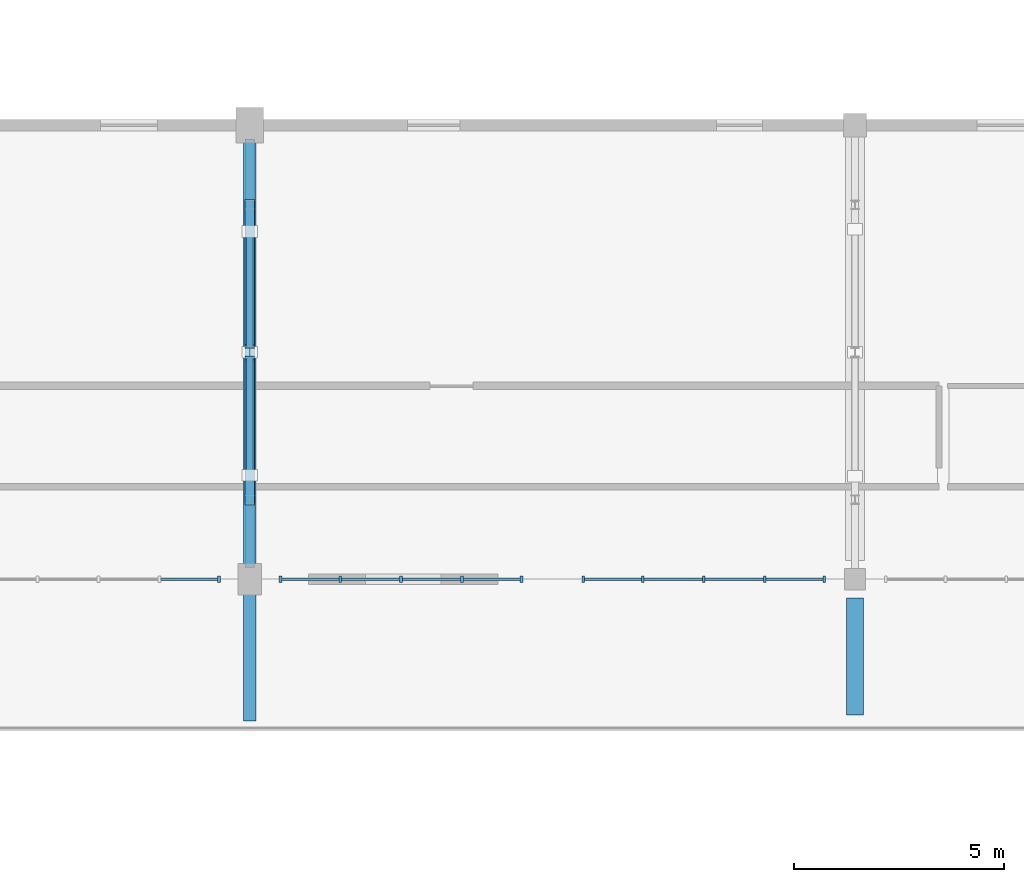
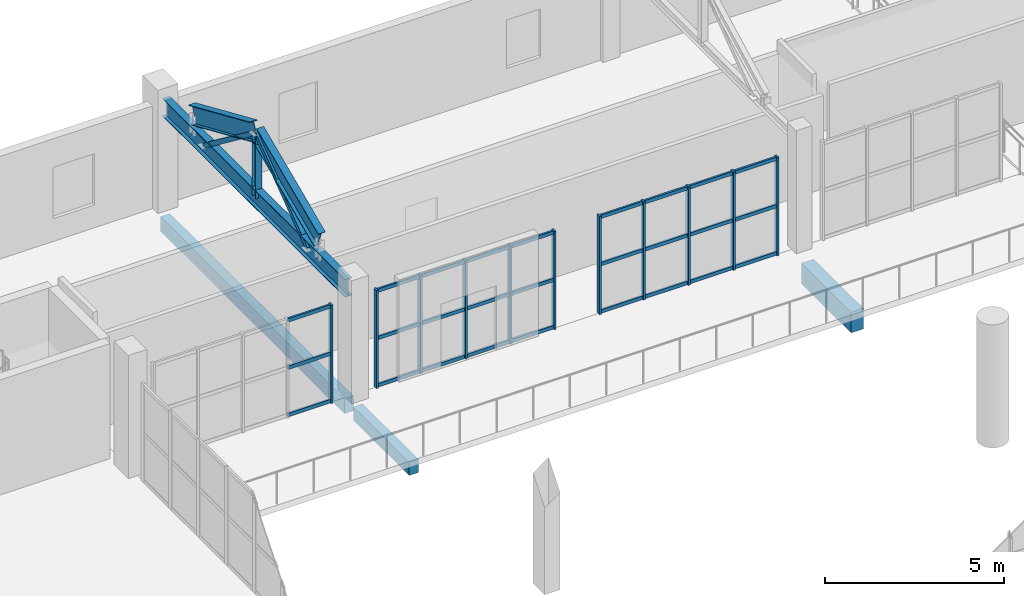
# One storey, part 29 of 92: 41 members, 6 beams, 3 elements without a shape of their own.
"""IFC4 building model written with IfcOpenShell, lengths in metres."""

from ifc_helpers import new_model, si_unit, direction, frame, origin, origin_2d, place, context, subcontext, project, spatial, rectangle, hollow_rectangle, i_section, extrude, material, material_profile, profile_set, type_object, element, aggregate, save


model = new_model("IFC4")

# Units and contexts
model_context = context("Model", 3, precision=1e-05, world=origin(), true_north=direction((0.0, 1.0)))
body_context = subcontext(model_context, "Body", "Model", "MODEL_VIEW")
ifc_project = project(units=[si_unit("LENGTHUNIT", "METRE"), si_unit("AREAUNIT", "SQUARE_METRE"), si_unit("VOLUMEUNIT", "CUBIC_METRE"), si_unit("PLANEANGLEUNIT", "RADIAN"), si_unit("MASSUNIT", "GRAM", prefix="KILO")], contexts=[model_context])

# Site, building, storey
site_placement = place(None, origin())
site = spatial("IfcSite", under=ifc_project, at=site_placement, CompositionType="ELEMENT")
building_placement = place(site_placement, origin())
building = spatial("IfcBuilding", under=site, at=building_placement, Name="Solanera Park Tramway Depot", CompositionType="ELEMENT")
storey_placement = place(building_placement, frame((0.0, 0.0, 4.800048828125)))
storey = spatial("IfcBuildingStorey", under=building, at=storey_placement, Name="L01", CompositionType="ELEMENT", Elevation=4.800048828125)

# Curtain wall, member
ifc_material_1 = material(Name="Bronze-anodised thermally broken aluminium curtain wall", Category="aluminium")
curtain_wall_type = type_object("IfcCurtainWallType", Name="Courtyard Cloister Unitised Curtain Wall", PredefinedType="NOTDEFINED", material=ifc_material_1)
curtain_wall_1_placement = place(storey_placement, origin())
curtain_wall_1 = element("IfcCurtainWall", 1, at=curtain_wall_1_placement, inside=storey, type_object=curtain_wall_type, Name="L01 Courtyard Cloister Unitised Curtain Wall #094", PredefinedType="NOTDEFINED")
ifc_material_2 = material(Name="Bronze-anodised structural aluminium 6063-T6", Category="aluminium")
ifc_material_profile_1 = material_profile(ifc_material_2, rectangle(XDim=0.06494140625, YDim=0.14990234375, at=origin_2d()), Name="Curtain Wall Mullion 65x150")
ifc_profile_set_1 = profile_set([ifc_material_profile_1], Name="Bronze-anodised structural aluminium 6063-T6")
member_type_1 = type_object("IfcMemberType", Name="Curtain Wall Mullion 65x150", PredefinedType="MULLION", material=ifc_profile_set_1)
member_1_placement = place(storey_placement, frame((128.867431640625, 43.199951171875, 0.0), z_axis=(0.0, 0.0, 1.0), x_axis=(1.0, 0.0, 0.0)))
member_1 = element("IfcMember", 2, at=member_1_placement, type_object=member_type_1, Name="CW-L01-094 Mullion 1", PredefinedType="MULLION", context=body_context, shape_type="SweptSolid", body=[
    extrude(rectangle(XDim=0.06494140625, YDim=0.14990234375, at=origin_2d()), origin(), (0.0, 0.0, 1.0), 3.349853515625),
])

# Curtain wall, members
curtain_wall_2_placement = place(storey_placement, origin())
curtain_wall_2 = element("IfcCurtainWall", 3, at=curtain_wall_2_placement, inside=storey, type_object=curtain_wall_type, Name="L01 Courtyard Cloister Unitised Curtain Wall #095", PredefinedType="NOTDEFINED")
member_2_placement = place(storey_placement, frame((136.0673828125, 43.199951171875, 0.0), z_axis=(0.0, 0.0, 1.0), x_axis=(1.0, 0.0, 0.0)))
member_2 = element("IfcMember", 4, at=member_2_placement, type_object=member_type_1, Name="CW-L01-095 Mullion 1", PredefinedType="MULLION", context=body_context, shape_type="SweptSolid", body=[
    extrude(rectangle(XDim=0.06494140625, YDim=0.14990234375, at=origin_2d()), origin(), (0.0, 0.0, 1.0), 3.349853515625),
])
member_3_placement = place(storey_placement, frame((134.64990234375, 43.199951171875, 0.0), z_axis=(0.0, 0.0, 1.0), x_axis=(1.0, 0.0, 0.0)))
member_3 = element("IfcMember", 5, at=member_3_placement, type_object=member_type_1, Name="CW-L01-095 Mullion 2", PredefinedType="MULLION", context=body_context, shape_type="SweptSolid", body=[
    extrude(rectangle(XDim=0.06494140625, YDim=0.14990234375, at=origin_2d()), origin(), (0.0, 0.0, 1.0), 3.349853515625),
])
member_4_placement = place(storey_placement, frame((133.199951171875, 43.199951171875, 0.0), z_axis=(0.0, 0.0, 1.0), x_axis=(1.0, 0.0, 0.0)))
member_4 = element("IfcMember", 6, at=member_4_placement, type_object=member_type_1, Name="CW-L01-095 Mullion 3", PredefinedType="MULLION", context=body_context, shape_type="SweptSolid", body=[
    extrude(rectangle(XDim=0.06494140625, YDim=0.14990234375, at=origin_2d()), origin(), (0.0, 0.0, 1.0), 3.349853515625),
])
member_5_placement = place(storey_placement, frame((131.75, 43.199951171875, 0.0), z_axis=(0.0, 0.0, 1.0), x_axis=(1.0, 0.0, 0.0)))
member_5 = element("IfcMember", 7, at=member_5_placement, type_object=member_type_1, Name="CW-L01-095 Mullion 4", PredefinedType="MULLION", context=body_context, shape_type="SweptSolid", body=[
    extrude(rectangle(XDim=0.06494140625, YDim=0.14990234375, at=origin_2d()), origin(), (0.0, 0.0, 1.0), 3.349853515625),
])
member_6_placement = place(storey_placement, frame((130.33251953125, 43.199951171875, 0.0), z_axis=(0.0, 0.0, 1.0), x_axis=(1.0, 0.0, 0.0)))
member_6 = element("IfcMember", 8, at=member_6_placement, type_object=member_type_1, Name="CW-L01-095 Mullion 5", PredefinedType="MULLION", context=body_context, shape_type="SweptSolid", body=[
    extrude(rectangle(XDim=0.06494140625, YDim=0.14990234375, at=origin_2d()), origin(), (0.0, 0.0, 1.0), 3.349853515625),
])

curtain_wall_3_placement = place(storey_placement, origin())
curtain_wall_3 = element("IfcCurtainWall", 9, at=curtain_wall_3_placement, inside=storey, type_object=curtain_wall_type, Name="L01 Courtyard Cloister Unitised Curtain Wall #096", PredefinedType="NOTDEFINED")
member_7_placement = place(storey_placement, frame((143.267578125, 43.199951171875, 0.0), z_axis=(0.0, 0.0, 1.0), x_axis=(1.0, 0.0, 0.0)))
member_7 = element("IfcMember", 10, at=member_7_placement, type_object=member_type_1, Name="CW-L01-096 Mullion 1", PredefinedType="MULLION", context=body_context, shape_type="SweptSolid", body=[
    extrude(rectangle(XDim=0.06494140625, YDim=0.14990234375, at=origin_2d()), origin(), (0.0, 0.0, 1.0), 3.349853515625),
])
member_8_placement = place(storey_placement, frame((141.85009765625, 43.199951171875, 0.0), z_axis=(0.0, 0.0, 1.0), x_axis=(1.0, 0.0, 0.0)))
member_8 = element("IfcMember", 11, at=member_8_placement, type_object=member_type_1, Name="CW-L01-096 Mullion 2", PredefinedType="MULLION", context=body_context, shape_type="SweptSolid", body=[
    extrude(rectangle(XDim=0.06494140625, YDim=0.14990234375, at=origin_2d()), origin(), (0.0, 0.0, 1.0), 3.349853515625),
])
member_9_placement = place(storey_placement, frame((140.39990234375, 43.199951171875, 0.0), z_axis=(0.0, 0.0, 1.0), x_axis=(1.0, 0.0, 0.0)))
member_9 = element("IfcMember", 12, at=member_9_placement, type_object=member_type_1, Name="CW-L01-096 Mullion 3", PredefinedType="MULLION", context=body_context, shape_type="SweptSolid", body=[
    extrude(rectangle(XDim=0.06494140625, YDim=0.14990234375, at=origin_2d()), origin(), (0.0, 0.0, 1.0), 3.349853515625),
])
member_10_placement = place(storey_placement, frame((138.949951171875, 43.199951171875, 0.0), z_axis=(0.0, 0.0, 1.0), x_axis=(1.0, 0.0, 0.0)))
member_10 = element("IfcMember", 13, at=member_10_placement, type_object=member_type_1, Name="CW-L01-096 Mullion 4", PredefinedType="MULLION", context=body_context, shape_type="SweptSolid", body=[
    extrude(rectangle(XDim=0.06494140625, YDim=0.14990234375, at=origin_2d()), origin(), (0.0, 0.0, 1.0), 3.349853515625),
])
member_11_placement = place(storey_placement, frame((137.532470703125, 43.199951171875, 0.0), z_axis=(0.0, 0.0, 1.0), x_axis=(1.0, 0.0, 0.0)))
member_11 = element("IfcMember", 14, at=member_11_placement, type_object=member_type_1, Name="CW-L01-096 Mullion 5", PredefinedType="MULLION", context=body_context, shape_type="SweptSolid", body=[
    extrude(rectangle(XDim=0.06494140625, YDim=0.14990234375, at=origin_2d()), origin(), (0.0, 0.0, 1.0), 3.349853515625),
])

# Member
ifc_material_3 = material(Name="Bronze-anodised structural aluminium 6063-T6", Category="aluminium")
ifc_material_profile_2 = material_profile(ifc_material_3, rectangle(XDim=0.06494140625, YDim=0.1201171875, at=origin_2d()), Name="Curtain Wall Transom 65x120")
ifc_profile_set_2 = profile_set([ifc_material_profile_2], Name="Bronze-anodised structural aluminium 6063-T6")
member_type_2 = type_object("IfcMemberType", Name="Curtain Wall Transom 65x120", PredefinedType="USERDEFINED", material=ifc_profile_set_2)
member_12_placement = place(storey_placement, frame((128.839599609375, 43.199951171875, 0.06005859375), z_axis=(-1.0, 0.0, 0.0), x_axis=(0.0, -1.0, 0.0)))
member_12 = element("IfcMember", 15, at=member_12_placement, type_object=member_type_2, Name="CW-L01-094 Transom R1.C1", ObjectType="TRANSOM", PredefinedType="USERDEFINED", context=body_context, shape_type="SweptSolid", body=[
    extrude(rectangle(XDim=0.06494140625, YDim=0.1201171875, at=origin_2d()), origin(), (0.0, 0.0, 1.0), 1.361572265625),
])

member_13_placement = place(storey_placement, frame((128.839599609375, 43.199951171875, 1.675048828125), z_axis=(-1.0, 0.0, 0.0), x_axis=(0.0, -1.0, 0.0)))
member_13 = element("IfcMember", 16, at=member_13_placement, type_object=member_type_2, Name="CW-L01-094 Transom R2.C1", ObjectType="TRANSOM", PredefinedType="USERDEFINED", context=body_context, shape_type="SweptSolid", body=[
    extrude(rectangle(XDim=0.06494140625, YDim=0.1201171875, at=origin_2d()), origin(), (0.0, 0.0, 1.0), 1.361572265625),
])

member_14_placement = place(storey_placement, frame((128.839599609375, 43.199951171875, 3.2900390625), z_axis=(-1.0, 0.0, 0.0), x_axis=(0.0, -1.0, 0.0)))
member_14 = element("IfcMember", 17, at=member_14_placement, type_object=member_type_2, Name="CW-L01-094 Transom R3.C1", ObjectType="TRANSOM", PredefinedType="USERDEFINED", context=body_context, shape_type="SweptSolid", body=[
    extrude(rectangle(XDim=0.06494140625, YDim=0.1201171875, at=origin_2d()), origin(), (0.0, 0.0, 1.0), 1.361572265625),
])

aggregate(curtain_wall_1, [member_1, member_12, member_13, member_14])

member_15_placement = place(storey_placement, frame((136.03955078125, 43.199951171875, 0.06005859375), z_axis=(-1.0, 0.0, 0.0), x_axis=(0.0, -1.0, 0.0)))
member_15 = element("IfcMember", 18, at=member_15_placement, type_object=member_type_2, Name="CW-L01-095 Transom R1.C1", ObjectType="TRANSOM", PredefinedType="USERDEFINED", context=body_context, shape_type="SweptSolid", body=[
    extrude(rectangle(XDim=0.06494140625, YDim=0.1201171875, at=origin_2d()), origin(), (0.0, 0.0, 1.0), 1.361572265625),
])

member_16_placement = place(storey_placement, frame((134.6220703125, 43.199951171875, 0.06005859375), z_axis=(-1.0, 0.0, 0.0), x_axis=(0.0, -1.0, 0.0)))
member_16 = element("IfcMember", 19, at=member_16_placement, type_object=member_type_2, Name="CW-L01-095 Transom R1.C2", ObjectType="TRANSOM", PredefinedType="USERDEFINED", context=body_context, shape_type="SweptSolid", body=[
    extrude(rectangle(XDim=0.06494140625, YDim=0.1201171875, at=origin_2d()), origin(), (0.0, 0.0, 1.0), 1.39404296875),
])

member_17_placement = place(storey_placement, frame((133.172119140625, 43.199951171875, 0.06005859375), z_axis=(-1.0, 0.0, 0.0), x_axis=(0.0, -1.0, 0.0)))
member_17 = element("IfcMember", 20, at=member_17_placement, type_object=member_type_2, Name="CW-L01-095 Transom R1.C3", ObjectType="TRANSOM", PredefinedType="USERDEFINED", context=body_context, shape_type="SweptSolid", body=[
    extrude(rectangle(XDim=0.06494140625, YDim=0.1201171875, at=origin_2d()), origin(), (0.0, 0.0, 1.0), 1.39404296875),
])

member_18_placement = place(storey_placement, frame((131.721923828125, 43.199951171875, 0.06005859375), z_axis=(-1.0, 0.0, 0.0), x_axis=(0.0, -1.0, 0.0)))
member_18 = element("IfcMember", 21, at=member_18_placement, type_object=member_type_2, Name="CW-L01-095 Transom R1.C4", ObjectType="TRANSOM", PredefinedType="USERDEFINED", context=body_context, shape_type="SweptSolid", body=[
    extrude(rectangle(XDim=0.06494140625, YDim=0.1201171875, at=origin_2d()), origin(), (0.0, 0.0, 1.0), 1.361328125),
])

member_19_placement = place(storey_placement, frame((136.03955078125, 43.199951171875, 1.675048828125), z_axis=(-1.0, 0.0, 0.0), x_axis=(0.0, -1.0, 0.0)))
member_19 = element("IfcMember", 22, at=member_19_placement, type_object=member_type_2, Name="CW-L01-095 Transom R2.C1", ObjectType="TRANSOM", PredefinedType="USERDEFINED", context=body_context, shape_type="SweptSolid", body=[
    extrude(rectangle(XDim=0.06494140625, YDim=0.1201171875, at=origin_2d()), origin(), (0.0, 0.0, 1.0), 1.361572265625),
])

member_20_placement = place(storey_placement, frame((134.6220703125, 43.199951171875, 1.675048828125), z_axis=(-1.0, 0.0, 0.0), x_axis=(0.0, -1.0, 0.0)))
member_20 = element("IfcMember", 23, at=member_20_placement, type_object=member_type_2, Name="CW-L01-095 Transom R2.C2", ObjectType="TRANSOM", PredefinedType="USERDEFINED", context=body_context, shape_type="SweptSolid", body=[
    extrude(rectangle(XDim=0.06494140625, YDim=0.1201171875, at=origin_2d()), origin(), (0.0, 0.0, 1.0), 1.39404296875),
])

member_21_placement = place(storey_placement, frame((133.172119140625, 43.199951171875, 1.675048828125), z_axis=(-1.0, 0.0, 0.0), x_axis=(0.0, -1.0, 0.0)))
member_21 = element("IfcMember", 24, at=member_21_placement, type_object=member_type_2, Name="CW-L01-095 Transom R2.C3", ObjectType="TRANSOM", PredefinedType="USERDEFINED", context=body_context, shape_type="SweptSolid", body=[
    extrude(rectangle(XDim=0.06494140625, YDim=0.1201171875, at=origin_2d()), origin(), (0.0, 0.0, 1.0), 1.39404296875),
])

member_22_placement = place(storey_placement, frame((131.721923828125, 43.199951171875, 1.675048828125), z_axis=(-1.0, 0.0, 0.0), x_axis=(0.0, -1.0, 0.0)))
member_22 = element("IfcMember", 25, at=member_22_placement, type_object=member_type_2, Name="CW-L01-095 Transom R2.C4", ObjectType="TRANSOM", PredefinedType="USERDEFINED", context=body_context, shape_type="SweptSolid", body=[
    extrude(rectangle(XDim=0.06494140625, YDim=0.1201171875, at=origin_2d()), origin(), (0.0, 0.0, 1.0), 1.361328125),
])

member_23_placement = place(storey_placement, frame((136.03955078125, 43.199951171875, 3.2900390625), z_axis=(-1.0, 0.0, 0.0), x_axis=(0.0, -1.0, 0.0)))
member_23 = element("IfcMember", 26, at=member_23_placement, type_object=member_type_2, Name="CW-L01-095 Transom R3.C1", ObjectType="TRANSOM", PredefinedType="USERDEFINED", context=body_context, shape_type="SweptSolid", body=[
    extrude(rectangle(XDim=0.06494140625, YDim=0.1201171875, at=origin_2d()), origin(), (0.0, 0.0, 1.0), 1.361572265625),
])

member_24_placement = place(storey_placement, frame((134.6220703125, 43.199951171875, 3.2900390625), z_axis=(-1.0, 0.0, 0.0), x_axis=(0.0, -1.0, 0.0)))
member_24 = element("IfcMember", 27, at=member_24_placement, type_object=member_type_2, Name="CW-L01-095 Transom R3.C2", ObjectType="TRANSOM", PredefinedType="USERDEFINED", context=body_context, shape_type="SweptSolid", body=[
    extrude(rectangle(XDim=0.06494140625, YDim=0.1201171875, at=origin_2d()), origin(), (0.0, 0.0, 1.0), 1.39404296875),
])

member_25_placement = place(storey_placement, frame((133.172119140625, 43.199951171875, 3.2900390625), z_axis=(-1.0, 0.0, 0.0), x_axis=(0.0, -1.0, 0.0)))
member_25 = element("IfcMember", 28, at=member_25_placement, type_object=member_type_2, Name="CW-L01-095 Transom R3.C3", ObjectType="TRANSOM", PredefinedType="USERDEFINED", context=body_context, shape_type="SweptSolid", body=[
    extrude(rectangle(XDim=0.06494140625, YDim=0.1201171875, at=origin_2d()), origin(), (0.0, 0.0, 1.0), 1.39404296875),
])

member_26_placement = place(storey_placement, frame((131.721923828125, 43.199951171875, 3.2900390625), z_axis=(-1.0, 0.0, 0.0), x_axis=(0.0, -1.0, 0.0)))
member_26 = element("IfcMember", 29, at=member_26_placement, type_object=member_type_2, Name="CW-L01-095 Transom R3.C4", ObjectType="TRANSOM", PredefinedType="USERDEFINED", context=body_context, shape_type="SweptSolid", body=[
    extrude(rectangle(XDim=0.06494140625, YDim=0.1201171875, at=origin_2d()), origin(), (0.0, 0.0, 1.0), 1.361328125),
])

aggregate(curtain_wall_2, [member_2, member_3, member_4, member_5, member_6, member_15, member_16, member_17, member_18, member_19, member_20, member_21, member_22, member_23, member_24, member_25, member_26])

member_27_placement = place(storey_placement, frame((143.239501953125, 43.199951171875, 0.06005859375), z_axis=(-1.0, 0.0, 0.0), x_axis=(0.0, -1.0, 0.0)))
member_27 = element("IfcMember", 30, at=member_27_placement, type_object=member_type_2, Name="CW-L01-096 Transom R1.C1", ObjectType="TRANSOM", PredefinedType="USERDEFINED", context=body_context, shape_type="SweptSolid", body=[
    extrude(rectangle(XDim=0.06494140625, YDim=0.1201171875, at=origin_2d()), origin(), (0.0, 0.0, 1.0), 1.361572265625),
])

member_28_placement = place(storey_placement, frame((141.822021484375, 43.199951171875, 0.06005859375), z_axis=(-1.0, 0.0, 0.0), x_axis=(0.0, -1.0, 0.0)))
member_28 = element("IfcMember", 31, at=member_28_placement, type_object=member_type_2, Name="CW-L01-096 Transom R1.C2", ObjectType="TRANSOM", PredefinedType="USERDEFINED", context=body_context, shape_type="SweptSolid", body=[
    extrude(rectangle(XDim=0.06494140625, YDim=0.1201171875, at=origin_2d()), origin(), (0.0, 0.0, 1.0), 1.39404296875),
])

member_29_placement = place(storey_placement, frame((140.3720703125, 43.199951171875, 0.06005859375), z_axis=(-1.0, 0.0, 0.0), x_axis=(0.0, -1.0, 0.0)))
member_29 = element("IfcMember", 32, at=member_29_placement, type_object=member_type_2, Name="CW-L01-096 Transom R1.C3", ObjectType="TRANSOM", PredefinedType="USERDEFINED", context=body_context, shape_type="SweptSolid", body=[
    extrude(rectangle(XDim=0.06494140625, YDim=0.1201171875, at=origin_2d()), origin(), (0.0, 0.0, 1.0), 1.39404296875),
])

member_30_placement = place(storey_placement, frame((138.922119140625, 43.199951171875, 0.06005859375), z_axis=(-1.0, 0.0, 0.0), x_axis=(0.0, -1.0, 0.0)))
member_30 = element("IfcMember", 33, at=member_30_placement, type_object=member_type_2, Name="CW-L01-096 Transom R1.C4", ObjectType="TRANSOM", PredefinedType="USERDEFINED", context=body_context, shape_type="SweptSolid", body=[
    extrude(rectangle(XDim=0.06494140625, YDim=0.1201171875, at=origin_2d()), origin(), (0.0, 0.0, 1.0), 1.361572265625),
])

member_31_placement = place(storey_placement, frame((143.239501953125, 43.199951171875, 1.675048828125), z_axis=(-1.0, 0.0, 0.0), x_axis=(0.0, -1.0, 0.0)))
member_31 = element("IfcMember", 34, at=member_31_placement, type_object=member_type_2, Name="CW-L01-096 Transom R2.C1", ObjectType="TRANSOM", PredefinedType="USERDEFINED", context=body_context, shape_type="SweptSolid", body=[
    extrude(rectangle(XDim=0.06494140625, YDim=0.1201171875, at=origin_2d()), origin(), (0.0, 0.0, 1.0), 1.361572265625),
])

member_32_placement = place(storey_placement, frame((141.822021484375, 43.199951171875, 1.675048828125), z_axis=(-1.0, 0.0, 0.0), x_axis=(0.0, -1.0, 0.0)))
member_32 = element("IfcMember", 35, at=member_32_placement, type_object=member_type_2, Name="CW-L01-096 Transom R2.C2", ObjectType="TRANSOM", PredefinedType="USERDEFINED", context=body_context, shape_type="SweptSolid", body=[
    extrude(rectangle(XDim=0.06494140625, YDim=0.1201171875, at=origin_2d()), origin(), (0.0, 0.0, 1.0), 1.39404296875),
])

member_33_placement = place(storey_placement, frame((140.3720703125, 43.199951171875, 1.675048828125), z_axis=(-1.0, 0.0, 0.0), x_axis=(0.0, -1.0, 0.0)))
member_33 = element("IfcMember", 36, at=member_33_placement, type_object=member_type_2, Name="CW-L01-096 Transom R2.C3", ObjectType="TRANSOM", PredefinedType="USERDEFINED", context=body_context, shape_type="SweptSolid", body=[
    extrude(rectangle(XDim=0.06494140625, YDim=0.1201171875, at=origin_2d()), origin(), (0.0, 0.0, 1.0), 1.39404296875),
])

member_34_placement = place(storey_placement, frame((138.922119140625, 43.199951171875, 1.675048828125), z_axis=(-1.0, 0.0, 0.0), x_axis=(0.0, -1.0, 0.0)))
member_34 = element("IfcMember", 37, at=member_34_placement, type_object=member_type_2, Name="CW-L01-096 Transom R2.C4", ObjectType="TRANSOM", PredefinedType="USERDEFINED", context=body_context, shape_type="SweptSolid", body=[
    extrude(rectangle(XDim=0.06494140625, YDim=0.1201171875, at=origin_2d()), origin(), (0.0, 0.0, 1.0), 1.361572265625),
])

member_35_placement = place(storey_placement, frame((143.239501953125, 43.199951171875, 3.2900390625), z_axis=(-1.0, 0.0, 0.0), x_axis=(0.0, -1.0, 0.0)))
member_35 = element("IfcMember", 38, at=member_35_placement, type_object=member_type_2, Name="CW-L01-096 Transom R3.C1", ObjectType="TRANSOM", PredefinedType="USERDEFINED", context=body_context, shape_type="SweptSolid", body=[
    extrude(rectangle(XDim=0.06494140625, YDim=0.1201171875, at=origin_2d()), origin(), (0.0, 0.0, 1.0), 1.361572265625),
])

member_36_placement = place(storey_placement, frame((141.822021484375, 43.199951171875, 3.2900390625), z_axis=(-1.0, 0.0, 0.0), x_axis=(0.0, -1.0, 0.0)))
member_36 = element("IfcMember", 39, at=member_36_placement, type_object=member_type_2, Name="CW-L01-096 Transom R3.C2", ObjectType="TRANSOM", PredefinedType="USERDEFINED", context=body_context, shape_type="SweptSolid", body=[
    extrude(rectangle(XDim=0.06494140625, YDim=0.1201171875, at=origin_2d()), origin(), (0.0, 0.0, 1.0), 1.39404296875),
])

member_37_placement = place(storey_placement, frame((140.3720703125, 43.199951171875, 3.2900390625), z_axis=(-1.0, 0.0, 0.0), x_axis=(0.0, -1.0, 0.0)))
member_37 = element("IfcMember", 40, at=member_37_placement, type_object=member_type_2, Name="CW-L01-096 Transom R3.C3", ObjectType="TRANSOM", PredefinedType="USERDEFINED", context=body_context, shape_type="SweptSolid", body=[
    extrude(rectangle(XDim=0.06494140625, YDim=0.1201171875, at=origin_2d()), origin(), (0.0, 0.0, 1.0), 1.39404296875),
])

member_38_placement = place(storey_placement, frame((138.922119140625, 43.199951171875, 3.2900390625), z_axis=(-1.0, 0.0, 0.0), x_axis=(0.0, -1.0, 0.0)))
member_38 = element("IfcMember", 41, at=member_38_placement, type_object=member_type_2, Name="CW-L01-096 Transom R3.C4", ObjectType="TRANSOM", PredefinedType="USERDEFINED", context=body_context, shape_type="SweptSolid", body=[
    extrude(rectangle(XDim=0.06494140625, YDim=0.1201171875, at=origin_2d()), origin(), (0.0, 0.0, 1.0), 1.361572265625),
])

aggregate(curtain_wall_3, [member_7, member_8, member_9, member_10, member_11, member_27, member_28, member_29, member_30, member_31, member_32, member_33, member_34, member_35, member_36, member_37, member_38])

# Beams
ifc_material_4 = material(Name="Concrete N40 (C40/50)", Category="concrete")
ifc_material_profile_3 = material_profile(ifc_material_4, rectangle(XDim=0.300048828125, YDim=0.449951171875, at=origin_2d()), Name="RCB 300x450")
ifc_profile_set_3 = profile_set([ifc_material_profile_3], Name="Concrete N40 (C40/50)")
beam_type_1 = type_object("IfcBeamType", Name="RC Floor Beam RCB 300x450", PredefinedType="BEAM", material=ifc_profile_set_3)
beam_1_placement = place(storey_placement, frame((129.60009765625, 39.824951171875, -0.43896484375), z_axis=(0.0, 1.0, 0.0), x_axis=(-1.0, 0.0, 0.0)))
element("IfcBeam", 42, at=beam_1_placement, inside=storey, type_object=beam_type_1, Name="L01 Primary Y-Girder RCB 300x450 #0056", PredefinedType="BEAM", context=body_context, shape_type="SweptSolid", body=[
    extrude(rectangle(XDim=0.300048828125, YDim=0.449951171875, at=origin_2d()), origin(), (0.0, 0.0, 1.0), 3.125),
])
ifc_material_5 = material(Name="Concrete N40 (C40/50)", Category="concrete")
ifc_material_profile_4 = material_profile(ifc_material_5, rectangle(XDim=0.300048828125, YDim=0.5, at=origin_2d()), Name="RCB 300x500")
ifc_profile_set_4 = profile_set([ifc_material_profile_4], Name="Concrete N40 (C40/50)")
beam_type_2 = type_object("IfcBeamType", Name="RC Floor Beam RCB 300x500", PredefinedType="BEAM", material=ifc_profile_set_4)
beam_2_placement = place(storey_placement, frame((129.60009765625, 43.449951171875, -0.504150390625), z_axis=(0.0, 1.0, 0.0), x_axis=(-1.0, 0.0, 0.0)))
element("IfcBeam", 43, at=beam_2_placement, inside=storey, type_object=beam_type_2, Name="L01 Primary Y-Girder RCB 300x500 #0057", PredefinedType="BEAM", context=body_context, shape_type="SweptSolid", body=[
    extrude(rectangle(XDim=0.300048828125, YDim=0.5, at=origin_2d()), origin(), (0.0, 0.0, 1.0), 10.275146484375),
])
ifc_material_6 = material(Name="Concrete N40 (C40/50)", Category="concrete")
ifc_material_profile_5 = material_profile(ifc_material_6, rectangle(XDim=0.39990234375, YDim=0.699951171875, at=origin_2d()), Name="RCB 400x700")
ifc_profile_set_5 = profile_set([ifc_material_profile_5], Name="Concrete N40 (C40/50)")
beam_type_3 = type_object("IfcBeamType", Name="RC Floor Beam RCB 400x700", PredefinedType="BEAM", material=ifc_profile_set_5)
beam_3_placement = place(storey_placement, frame((144.0, 39.97509765625, -0.56396484375), z_axis=(0.0, 1.0, 0.0), x_axis=(-1.0, 0.0, 0.0)))
element("IfcBeam", 44, at=beam_3_placement, inside=storey, type_object=beam_type_3, Name="L01 Primary Y-Girder RCB 400x700 #0061", PredefinedType="BEAM", context=body_context, shape_type="SweptSolid", body=[
    extrude(rectangle(XDim=0.39990234375, YDim=0.699951171875, at=origin_2d()), origin(), (0.0, 0.0, 1.0), 2.77490234375),
])

# Member
ifc_material_7 = material(Name="Steel AS/NZS 3679.1 Grade 350", Category="steel")
ifc_material_profile_6 = material_profile(ifc_material_7, i_section(OverallWidth=0.205078125, OverallDepth=0.209716796875, WebThickness=0.00927734375, FlangeThickness=0.01416015625, at=origin_2d()), Name="200UC59.5")
ifc_profile_set_6 = profile_set([ifc_material_profile_6], Name="Steel AS/NZS 3679.1 Grade 350")
member_type_3 = type_object("IfcMemberType", Name="Roof Gantry Compression Strut 200UC59.5", PredefinedType="STRUT", material=ifc_profile_set_6)
member_39_placement = place(storey_placement, frame((129.60009765625, 48.60009765625, 3.494140625), z_axis=(0.0, 0.0, 1.0), x_axis=(1.0, 0.0, 0.0)))
element("IfcMember", 45, at=member_39_placement, inside=storey, type_object=member_type_3, Name="Hip ROOF TRUSS King Post #0160", PredefinedType="STRUT", context=body_context, shape_type="SweptSolid", body=[
    extrude(i_section(OverallWidth=0.205078125, OverallDepth=0.209716796875, WebThickness=0.00927734375, FlangeThickness=0.01416015625, at=origin_2d()), origin(), (0.0, 0.0, 1.0), 2.1796875),
])

# Beams
ifc_material_8 = material(Name="Steel AS/NZS 3679.1 Grade 350", Category="steel")
ifc_material_profile_7 = material_profile(ifc_material_8, i_section(OverallWidth=0.22900390625, OverallDepth=0.611572265625, WebThickness=0.011962890625, FlangeThickness=0.01953125, at=origin_2d()), Name="610UB125")
ifc_profile_set_7 = profile_set([ifc_material_profile_7], Name="Steel AS/NZS 3679.1 Grade 350")
beam_type_4 = type_object("IfcBeamType", Name="Steel Beam 610UB125", PredefinedType="BEAM", material=ifc_profile_set_7)
beam_4_placement = place(storey_placement, frame((129.60009765625, 43.47509765625, 3.494140625), z_axis=(0.0, 1.0, 0.0), x_axis=(-1.0, 0.0, 0.0)))
element("IfcBeam", 46, at=beam_4_placement, inside=storey, type_object=beam_type_4, Name="L01 Hip ROOF TRUSS Tie 610UB125 #1104", PredefinedType="BEAM", context=body_context, shape_type="SweptSolid", body=[
    extrude(i_section(OverallWidth=0.22900390625, OverallDepth=0.611572265625, WebThickness=0.011962890625, FlangeThickness=0.01953125, at=origin_2d()), origin(), (0.0, 0.0, 1.0), 10.199951171875),
])
beam_5_placement = place(storey_placement, frame((129.60009765625, 45.090087890625, 4.165771484375), z_axis=(0.0, 0.916283784532, 0.40052968205), x_axis=(-1.0, 0.0, 0.0)))
element("IfcBeam", 47, at=beam_5_placement, inside=storey, type_object=beam_type_4, Name="L01 Hip ROOF TRUSS Rafter 610UB125 #1105", PredefinedType="BEAM", context=body_context, shape_type="SweptSolid", body=[
    extrude(i_section(OverallWidth=0.22900390625, OverallDepth=0.611572265625, WebThickness=0.011962890625, FlangeThickness=0.01953125, at=origin_2d()), origin(), (0.0, 0.0, 1.0), 3.76513671875),
])
beam_6_placement = place(storey_placement, frame((129.60009765625, 48.659912109375, 5.673828125), z_axis=(0.0, 0.916294185837, -0.400505886351), x_axis=(-1.0, 0.0, 0.0)))
element("IfcBeam", 48, at=beam_6_placement, inside=storey, type_object=beam_type_4, Name="L01 Hip ROOF TRUSS Rafter 610UB125 #1106", PredefinedType="BEAM", context=body_context, shape_type="SweptSolid", body=[
    extrude(i_section(OverallWidth=0.22900390625, OverallDepth=0.611572265625, WebThickness=0.011962890625, FlangeThickness=0.01953125, at=origin_2d()), origin(), (0.0, 0.0, 1.0), 3.765380859375),
])

# Members
ifc_material_9 = material(Name="Steel AS/NZS 1163 Grade C350L0", Category="steel")
ifc_material_profile_8 = material_profile(ifc_material_9, hollow_rectangle(XDim=0.14990234375, YDim=0.14990234375, WallThickness=0.006103515625, at=origin_2d()), Name="150x150x6.0 SHS")
ifc_profile_set_8 = profile_set([ifc_material_profile_8], Name="Steel AS/NZS 1163 Grade C350L0")
member_type_4 = type_object("IfcMemberType", Name="Truss and Frame Brace 150x150x6.0 SHS", PredefinedType="BRACE", material=ifc_profile_set_8)
member_40_placement = place(storey_placement, frame((129.60009765625, 45.675048828125, 3.494140625), z_axis=(0.0, 0.80185138988, 0.597523512966), x_axis=(-1.0, 0.0, 0.0)))
element("IfcMember", 49, at=member_40_placement, inside=storey, type_object=member_type_4, Name="Hip ROOF TRUSS Web #0477", PredefinedType="BRACE", context=body_context, shape_type="SweptSolid", body=[
    extrude(hollow_rectangle(XDim=0.14990234375, YDim=0.14990234375, WallThickness=0.006103515625, at=origin_2d()), origin(), (0.0, 0.0, 1.0), 3.64794921875),
])
member_41_placement = place(storey_placement, frame((129.60009765625, 51.47509765625, 3.494140625), z_axis=(0.0, -0.796871005575, 0.604149485205), x_axis=(1.0, 0.0, 0.0)))
element("IfcMember", 50, at=member_41_placement, inside=storey, type_object=member_type_4, Name="Hip ROOF TRUSS Web #0478", PredefinedType="BRACE", context=body_context, shape_type="SweptSolid", body=[
    extrude(hollow_rectangle(XDim=0.14990234375, YDim=0.14990234375, WallThickness=0.006103515625, at=origin_2d()), origin(), (0.0, 0.0, 1.0), 3.60791015625),
])

save(model, "model.ifc")
